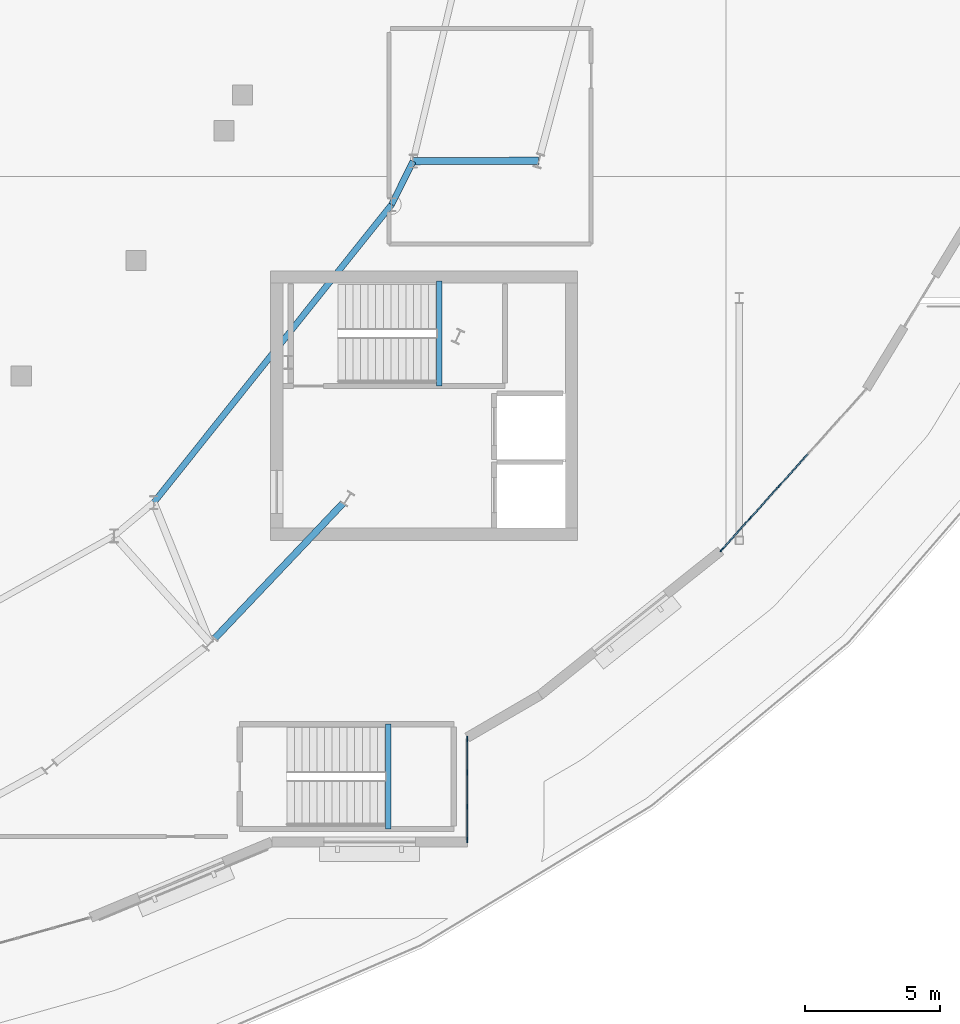
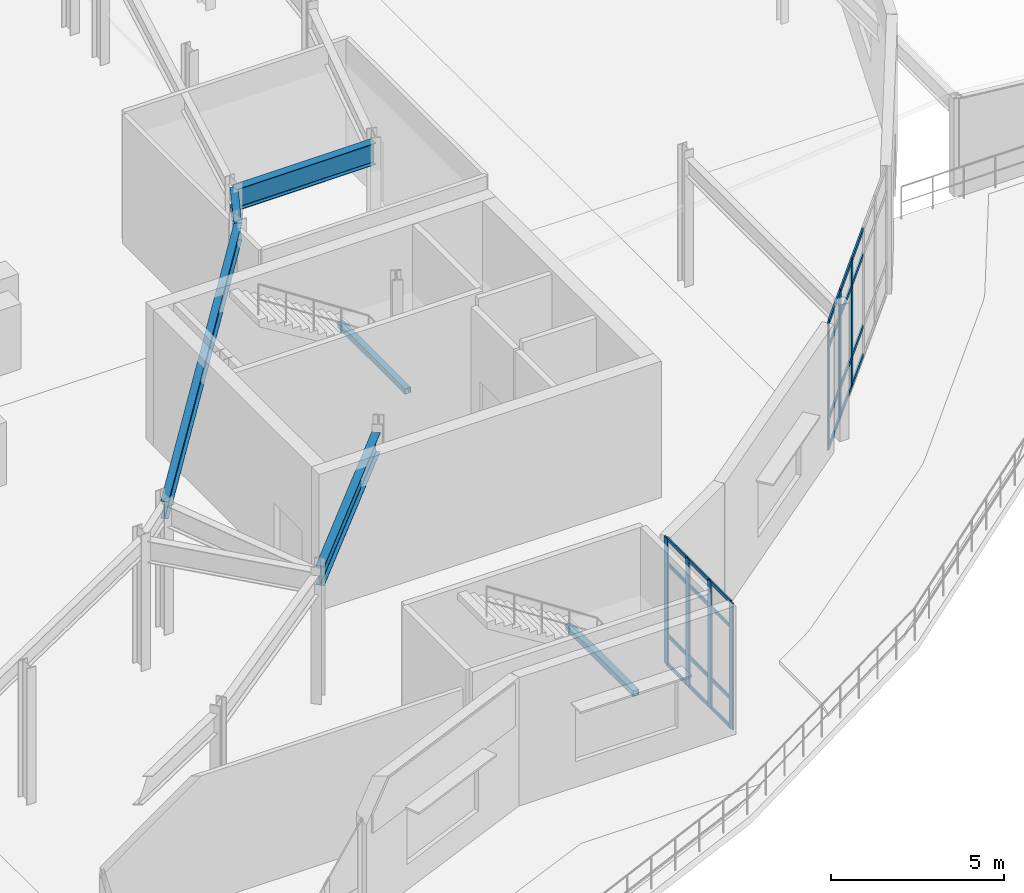
# One storey, part 46 of 84: 31 members, 6 beams, 2 elements without a shape of their own.
"""IFC4 building model written with IfcOpenShell, lengths in metres."""

import ifcopenshell
import ifcopenshell.guid

model = None  # the IFC model being written
_history = None  # IfcOwnerHistory: only IFC2X3 demands one
_inside = {}  # id of a spatial element -> (the spatial element, [elements in it])
_under = {}  # id of a project, library or spatial element -> (it, [spatial elements below it])
_declared = {}  # id of a project -> (the project, [libraries it declares])
_typed = {}  # id of a type object -> (the type object, [elements of that type])
_made_of = {}  # id of a material, layer set ... -> (it, [elements and type objects made of it])


def new_model(schema):
    """Start an empty IFC model of exactly this schema.

    Asked for "IFC4X3", IfcOpenShell would pick the latest addendum, in which some entities
    have other attributes; the version numbers below select the first issue.
    IFC2X3 requires an IfcOwnerHistory on every rooted entity: one is made here for all.
    """
    global model, _history
    if schema == "IFC4X3":
        model = ifcopenshell.file(schema_version=(4, 3, 0, 0))
    else:
        model = ifcopenshell.file(schema=schema)
    _inside.clear()
    _under.clear()
    _declared.clear()
    _typed.clear()
    _made_of.clear()
    _history = None
    if model.schema == "IFC2X3":
        org = make("IfcOrganization", Name="unknown")
        user = make(
            "IfcPersonAndOrganization",
            ThePerson=make("IfcPerson", FamilyName="unknown"),
            TheOrganization=org,
        )
        app = make(
            "IfcApplication",
            ApplicationDeveloper=org,
            Version="unknown",
            ApplicationFullName="unknown",
            ApplicationIdentifier="unknown",
        )
        _history = make(
            "IfcOwnerHistory",
            OwningUser=user,
            OwningApplication=app,
            ChangeAction="ADDED",
            CreationDate=0,
        )
    return model


def make(cls, **values):
    """One entity of the class cls with the attributes given. An attribute that is None is left unset."""
    return model.create_entity(
        cls, **{name: value for name, value in values.items() if value is not None}
    )


def rooted(cls, **values):
    """An entity with a GlobalId (a new one), such as an element, a storey or a relation."""
    return make(cls, GlobalId=ifcopenshell.guid.new(), OwnerHistory=_history, **values)


def si_unit(unit_type, name, prefix=None):
    """IfcSIUnit, for example si_unit("LENGTHUNIT", "METRE", prefix="MILLI")."""
    return make("IfcSIUnit", UnitType=unit_type, Prefix=prefix, Name=name)


def assignment(units):
    """IfcUnitAssignment: the units of a project."""
    return None if units is None else make("IfcUnitAssignment", Units=units)


def point(xyz):
    """IfcCartesianPoint."""
    return None if xyz is None else make("IfcCartesianPoint", Coordinates=xyz)


def direction(xyz):
    """IfcDirection."""
    return None if xyz is None else make("IfcDirection", DirectionRatios=xyz)


def frame(location, z_axis=None, x_axis=None):
    """IfcAxis2Placement3D, a coordinate frame: its origin and axes. An axis left out is left unset."""
    return make(
        "IfcAxis2Placement3D",
        Location=point(location),
        Axis=direction(z_axis),
        RefDirection=direction(x_axis),
    )


def frame_2d(location, x_axis=None):
    """IfcAxis2Placement2D, a coordinate frame in the plane: its origin and x axis."""
    return make(
        "IfcAxis2Placement2D", Location=point(location), RefDirection=direction(x_axis)
    )


def origin():
    """The frame at (0, 0, 0) with its axes left unset."""
    return frame((0.0, 0.0, 0.0))


def origin_2d():
    """The frame at (0, 0) in the plane with its x axis left unset."""
    return frame_2d((0.0, 0.0))


def place(relative_to, where):
    """IfcLocalPlacement: puts the frame where relative to a parent placement (None: the world)."""
    return make(
        "IfcLocalPlacement", PlacementRelTo=relative_to, RelativePlacement=where
    )


def context(
    kind, dimensions, precision=None, world=None, true_north=None, identifier=None
):
    """IfcGeometricRepresentationContext, for example the 3D "Model" context."""
    return make(
        "IfcGeometricRepresentationContext",
        ContextIdentifier=identifier,
        ContextType=kind,
        CoordinateSpaceDimension=dimensions,
        Precision=precision,
        WorldCoordinateSystem=world,
        TrueNorth=true_north,
    )


def subcontext(parent, identifier, kind, view, scale=None):
    """IfcGeometricRepresentationSubContext, for example "Body" below "Model"."""
    return make(
        "IfcGeometricRepresentationSubContext",
        ContextIdentifier=identifier,
        ContextType=kind,
        ParentContext=parent,
        TargetScale=scale,
        TargetView=view,
    )


def project(units=None, contexts=None):
    """IfcProject with its units and contexts."""
    return rooted(
        "IfcProject",
        Name="project",
        RepresentationContexts=contexts,
        UnitsInContext=assignment(units),
    )


def spatial(cls, under=None, at=None, **own):
    """A site, building, storey or space (cls), placed at a placement, below another one or the project."""
    s = rooted(cls, ObjectPlacement=at, **own)
    if under is not None:
        _under.setdefault(under.id(), (under, []))[1].append(s)
    return s


def profile(cls, at=None, kind="AREA", **sizes):
    """A parametric profile (cls). Its sizes go by their IFC names, for example OverallWidth=200.0."""
    return make(cls, ProfileType=kind, Position=at, **sizes)


def rectangle(**sizes):
    """IfcRectangleProfileDef."""
    return profile("IfcRectangleProfileDef", **sizes)


def hollow_rectangle(**sizes):
    """IfcRectangleHollowProfileDef."""
    return profile("IfcRectangleHollowProfileDef", **sizes)


def i_section(**sizes):
    """IfcIShapeProfileDef."""
    return profile("IfcIShapeProfileDef", **sizes)


def extrude(swept, where, along, depth):
    """IfcExtrudedAreaSolid: the profile swept, set in the frame where, extruded along a direction by depth."""
    return make(
        "IfcExtrudedAreaSolid",
        SweptArea=swept,
        Position=where,
        ExtrudedDirection=direction(along),
        Depth=depth,
    )


def shape(context_of_items, identifier, shape_type, items):
    """IfcShapeRepresentation: the items that make up one representation, for example the "Body"."""
    return make(
        "IfcShapeRepresentation",
        ContextOfItems=context_of_items,
        RepresentationIdentifier=identifier,
        RepresentationType=shape_type,
        Items=items,
    )


def material(Name=None, Category=None):
    """IfcMaterial."""
    return make("IfcMaterial", Name=Name, Category=Category)


def material_profile(
    of_material, cross_section, Name=None, Category=None, Priority=None
):
    """IfcMaterialProfile: a cross section and its material."""
    return make(
        "IfcMaterialProfile",
        Name=Name,
        Material=of_material,
        Profile=cross_section,
        Priority=Priority,
        Category=Category,
    )


def profile_set(profiles, Name=None, composite=None):
    """IfcMaterialProfileSet."""
    return make(
        "IfcMaterialProfileSet",
        Name=Name,
        MaterialProfiles=profiles,
        CompositeProfile=composite,
    )


def made_of(thing, what):
    """Note that an element or type object is made of a material, layer set ...; save() writes the relation."""
    if what is not None:
        _made_of.setdefault(what.id(), (what, []))[1].append(thing)
    return thing


def type_object(cls, material=None, **own):
    """A type object (cls), such as IfcWallType, which elements share."""
    return made_of(rooted(cls, **own), material)


def element(
    cls,
    number,
    at=None,
    inside=None,
    cuts=None,
    type_object=None,
    material=None,
    context=None,
    identifier="Body",
    shape_type=None,
    held_by="IfcProductDefinitionShape",
    body=None,
    shapes=None,
    **own,
):
    """One element of the class cls, such as IfcWall. Its Tag is "e" and its number.

    at: its placement. inside: the storey or other place that contains it. cuts: it is an
    opening in that element (IfcRelVoidsElement). A single representation is given by context,
    identifier, shape_type and body (its items); several are given by shapes. held_by: the class
    of the entity that holds the representations. save() writes the other relations.
    """
    e = rooted(cls, Tag="e%d" % number, ObjectPlacement=at, **own)
    if body is not None:
        shapes = [shape(context, identifier, shape_type, body)]
    if shapes is not None:
        e.Representation = make(held_by, Representations=shapes)
    if inside is not None:
        _inside.setdefault(inside.id(), (inside, []))[1].append(e)
    if cuts is not None:
        rooted(
            "IfcRelVoidsElement", RelatingBuildingElement=cuts, RelatedOpeningElement=e
        )
    if type_object is not None:
        _typed.setdefault(type_object.id(), (type_object, []))[1].append(e)
    return made_of(e, material)


def aggregate(whole, parts):
    """IfcRelAggregates: a whole, such as a stair, and the parts it consists of."""
    return rooted("IfcRelAggregates", RelatingObject=whole, RelatedObjects=parts)


def save(model, path):
    """Write the relations noted so far, then the file.

    IfcRelAggregates (storeys below a building ...), IfcRelContainedInSpatialStructure (elements
    in a storey), IfcRelDefinesByType, IfcRelAssociatesMaterial and IfcRelDeclares: one each for
    every whole, place, type object, material and project.
    """
    for whole, parts in _under.values():
        aggregate(whole, parts)
    for where, things in _inside.values():
        rooted(
            "IfcRelContainedInSpatialStructure",
            RelatedElements=things,
            RelatingStructure=where,
        )
    for kind, things in _typed.values():
        rooted("IfcRelDefinesByType", RelatedObjects=things, RelatingType=kind)
    for what, things in _made_of.values():
        rooted("IfcRelAssociatesMaterial", RelatedObjects=things, RelatingMaterial=what)
    for by, libraries in _declared.values():
        rooted("IfcRelDeclares", RelatingContext=by, RelatedDefinitions=libraries)
    model.write(path)


model = new_model("IFC4")

# Units and contexts
model_context = context("Model", 3, precision=1e-05, world=origin(), true_north=direction((0.0, 1.0)))
body_context = subcontext(model_context, "Body", "Model", "MODEL_VIEW")
ifc_project = project(units=[si_unit("LENGTHUNIT", "METRE"), si_unit("AREAUNIT", "SQUARE_METRE"), si_unit("VOLUMEUNIT", "CUBIC_METRE"), si_unit("PLANEANGLEUNIT", "RADIAN"), si_unit("MASSUNIT", "GRAM", prefix="KILO")], contexts=[model_context])

# Site, building, storey
site_placement = place(None, origin())
site = spatial("IfcSite", under=ifc_project, at=site_placement, CompositionType="ELEMENT")
building_placement = place(site_placement, origin())
building = spatial("IfcBuilding", under=site, at=building_placement, Name="Glasvene Arena", CompositionType="ELEMENT")
storey_placement = place(building_placement, frame((0.0, 0.0, 10.199951171875)))
storey = spatial("IfcBuildingStorey", under=building, at=storey_placement, Name="L02", CompositionType="ELEMENT", Elevation=10.199951171875)

# Beams
ifc_material_1 = material(Name="Steel S355J2", Category="steel")
ifc_material_profile_1 = material_profile(ifc_material_1, i_section(OverallWidth=0.228271484375, OverallDepth=0.607666015625, WebThickness=0.010986328125, FlangeThickness=0.017333984375, FilletRadius=0.0126953125, at=origin_2d()), Name="UKB 610x229x113")
ifc_profile_set_1 = profile_set([ifc_material_profile_1], Name="Steel S355J2")
beam_type_1 = type_object("IfcBeamType", Name="BM-GIRD-610", PredefinedType="BEAM", material=ifc_profile_set_1)
beam_1_placement = place(storey_placement, frame((125.256591796875, 46.40087890625, 4.215087890625), z_axis=(0.623899670594, 0.781504447226, 0.0), x_axis=(-0.781504447226, 0.623899670594, 0.0)))
element("IfcBeam", 1, at=beam_1_placement, inside=storey, type_object=beam_type_1, Name="Concourse inner ring girder L02-29", PredefinedType="BEAM", context=body_context, shape_type="SweptSolid", body=[
    extrude(i_section(OverallWidth=0.228271484375, OverallDepth=0.607666015625, WebThickness=0.010986328125, FlangeThickness=0.017333984375, FilletRadius=0.0126953125, at=origin_2d()), origin(), (0.0, 0.0, 1.0), 14.1552734375),
])
beam_2_placement = place(storey_placement, frame((134.088134765625, 57.46337890625, 4.215087890625), z_axis=(0.443576698242, 0.896236415672, 0.0), x_axis=(-0.896236415672, 0.443576698242, 0.0)))
element("IfcBeam", 2, at=beam_2_placement, inside=storey, type_object=beam_type_1, Name="Concourse inner ring girder L02-30", PredefinedType="BEAM", context=body_context, shape_type="SweptSolid", body=[
    extrude(i_section(OverallWidth=0.228271484375, OverallDepth=0.607666015625, WebThickness=0.010986328125, FlangeThickness=0.017333984375, FilletRadius=0.0126953125, at=origin_2d()), origin(), (0.0, 0.0, 1.0), 1.80078125),
])
ifc_material_profile_2 = material_profile(ifc_material_1, i_section(OverallWidth=0.253662109375, OverallDepth=0.68359375, WebThickness=0.012451171875, FlangeThickness=0.01904296875, FilletRadius=0.01513671875, at=origin_2d()), Name="UKB 686x254x140")
ifc_profile_set_2 = profile_set([ifc_material_profile_2], Name="Steel S355J2")
beam_type_2 = type_object("IfcBeamType", Name="BM-GIRD-686", PredefinedType="BEAM", material=ifc_profile_set_2)
beam_3_placement = place(storey_placement, frame((127.5205078125, 41.354248046875, 4.178466796875), z_axis=(0.688366558931, 0.725362999157, 0.0), x_axis=(-0.725362999157, 0.688366558931, 0.0)))
element("IfcBeam", 3, at=beam_3_placement, inside=storey, type_object=beam_type_2, Name="Bowl ring chord beam L02-36", PredefinedType="BEAM", context=body_context, shape_type="SweptSolid", body=[
    extrude(i_section(OverallWidth=0.253662109375, OverallDepth=0.68359375, WebThickness=0.012451171875, FlangeThickness=0.01904296875, FilletRadius=0.01513671875, at=origin_2d()), origin(), (0.0, 0.0, 1.0), 6.92236328125),
])
ifc_material_profile_3 = material_profile(ifc_material_1, i_section(OverallWidth=0.2666015625, OverallDepth=0.76220703125, WebThickness=0.014404296875, FlangeThickness=0.021484375, FilletRadius=0.0166015625, at=origin_2d()), Name="UKB 762x267x173")
ifc_profile_set_3 = profile_set([ifc_material_profile_3], Name="Steel S355J2")
beam_type_3 = type_object("IfcBeamType", Name="BM-GIRD-762", PredefinedType="BEAM", material=ifc_profile_set_3)
beam_4_placement = place(storey_placement, frame((134.886962890625, 59.077392578125, 4.138916015625), z_axis=(0.999993482259, 0.003610462575, 0.0), x_axis=(-0.003610462575, 0.999993482259, 0.0)))
element("IfcBeam", 4, at=beam_4_placement, inside=storey, type_object=beam_type_3, Name="Radial concourse girder L02-31", PredefinedType="BEAM", context=body_context, shape_type="SweptSolid", body=[
    extrude(i_section(OverallWidth=0.2666015625, OverallDepth=0.76220703125, WebThickness=0.014404296875, FlangeThickness=0.021484375, FilletRadius=0.0166015625, at=origin_2d()), origin(), (0.0, 0.0, 1.0), 4.665771484375),
])
ifc_material_profile_4 = material_profile(ifc_material_1, hollow_rectangle(XDim=0.199951171875, YDim=0.199951171875, WallThickness=0.010009765625, at=origin_2d()), Name="SHS 200x200x10.0")
ifc_profile_set_4 = profile_set([ifc_material_profile_4], Name="Steel S355J2")
beam_type_4 = type_object("IfcBeamType", Name="BM-LINTEL-200", PredefinedType="LINTEL", material=ifc_profile_set_4)
beam_5_placement = place(storey_placement, frame((135.860107421875, 50.72998046875, 2.080078125), z_axis=(0.0, 1.0, 0.0), x_axis=(-1.0, 0.0, 0.0)))
element("IfcBeam", 5, at=beam_5_placement, inside=storey, type_object=beam_type_4, Name="Stair half-landing support beam ST-04-L02", PredefinedType="LINTEL", context=body_context, shape_type="SweptSolid", body=[
    extrude(hollow_rectangle(XDim=0.199951171875, YDim=0.199951171875, WallThickness=0.010009765625, at=origin_2d()), origin(), (0.0, 0.0, 1.0), 3.89013671875),
])
beam_6_placement = place(storey_placement, frame((133.9599609375, 34.280029296875, 2.080078125), z_axis=(0.0, 1.0, 0.0), x_axis=(-1.0, 0.0, 0.0)))
element("IfcBeam", 6, at=beam_6_placement, inside=storey, type_object=beam_type_4, Name="Stair half-landing support beam ST-06-L02", PredefinedType="LINTEL", context=body_context, shape_type="SweptSolid", body=[
    extrude(hollow_rectangle(XDim=0.199951171875, YDim=0.199951171875, WallThickness=0.010009765625, at=origin_2d()), origin(), (0.0, 0.0, 1.0), 3.889892578125),
])

# Curtain wall, members
ifc_material_2 = material(Name="Low-emissivity laminated double glazing", Category="glass")
curtain_wall_type_1 = type_object("IfcCurtainWallType", Name="CW-FAC-L02-800x446", PredefinedType="USERDEFINED", material=ifc_material_2)
curtain_wall_1_placement = place(storey_placement, frame((151.690673828125, 50.586181640625, 0.0)))
curtain_wall_1 = element("IfcCurtainWall", 7, at=curtain_wall_1_placement, inside=storey, type_object=curtain_wall_type_1, Name="Unitised curtain wall CW-F-L02-180-1490-476-40", ObjectType="CURTAIN WALL", PredefinedType="USERDEFINED")
ifc_material_3 = material(Name="Anodised architectural aluminium", Category="aluminium")
ifc_material_profile_5 = material_profile(ifc_material_3, rectangle(XDim=0.050048828125, YDim=0.199951171875, at=origin_2d()), Name="ALU MULLION 50x200")
ifc_profile_set_5 = profile_set([ifc_material_profile_5], Name="Anodised architectural aluminium")
member_type_1 = type_object("IfcMemberType", Name="CW-MUL-180", PredefinedType="MULLION", material=ifc_profile_set_5)
member_1_placement = place(storey_placement, frame((148.480712890625, 47.017333984375, 0.06005859375), z_axis=(0.0, 0.0, 1.0), x_axis=(0.743511651788, -0.668722979757, 0.0)))
member_1 = element("IfcMember", 8, at=member_1_placement, type_object=member_type_1, Name="CW-024 mullion 4", PredefinedType="MULLION", context=body_context, shape_type="SweptSolid", body=[
    extrude(rectangle(XDim=0.050048828125, YDim=0.199951171875, at=origin_2d()), origin(), (0.0, 0.0, 1.0), 4.4599609375),
])
member_2_placement = place(storey_placement, frame((147.410888671875, 45.82763671875, 0.06005859375), z_axis=(0.0, 0.0, 1.0), x_axis=(0.743511651788, -0.668722979757, 0.0)))
member_2 = element("IfcMember", 9, at=member_2_placement, type_object=member_type_1, Name="CW-024 mullion 5", PredefinedType="MULLION", context=body_context, shape_type="SweptSolid", body=[
    extrude(rectangle(XDim=0.050048828125, YDim=0.199951171875, at=origin_2d()), origin(), (0.0, 0.0, 1.0), 4.4599609375),
])
member_3_placement = place(storey_placement, frame((146.357666015625, 44.65673828125, 0.06005859375), z_axis=(0.0, 0.0, 1.0), x_axis=(0.743511651788, -0.668722979757, 0.0)))
member_3 = element("IfcMember", 10, at=member_3_placement, type_object=member_type_1, Name="CW-024 mullion 6", PredefinedType="MULLION", context=body_context, shape_type="SweptSolid", body=[
    extrude(rectangle(XDim=0.050048828125, YDim=0.199951171875, at=origin_2d()), origin(), (0.0, 0.0, 1.0), 4.4599609375),
])

curtain_wall_type_2 = type_object("IfcCurtainWallType", Name="CW-FAC-L02-380x446", PredefinedType="USERDEFINED", material=ifc_material_2)
curtain_wall_2_placement = place(storey_placement, frame((136.89990234375, 37.640625, 0.0)))
curtain_wall_2 = element("IfcCurtainWall", 11, at=curtain_wall_2_placement, inside=storey, type_object=curtain_wall_type_2, Name="Unitised curtain wall CW-F-L02-180-1369-357-43", ObjectType="CURTAIN WALL", PredefinedType="USERDEFINED")
member_4_placement = place(storey_placement, frame((136.89990234375, 37.61572265625, 0.06005859375), z_axis=(0.0, 0.0, 1.0), x_axis=(1.0, 0.0, 0.0)))
member_4 = element("IfcMember", 12, at=member_4_placement, type_object=member_type_1, Name="CW-025 mullion 1", PredefinedType="MULLION", context=body_context, shape_type="SweptSolid", body=[
    extrude(rectangle(XDim=0.050048828125, YDim=0.199951171875, at=origin_2d()), origin(), (0.0, 0.0, 1.0), 4.4599609375),
])
member_5_placement = place(storey_placement, frame((136.89990234375, 36.373779296875, 0.06005859375), z_axis=(0.0, 0.0, 1.0), x_axis=(1.0, 0.0, 0.0)))
member_5 = element("IfcMember", 13, at=member_5_placement, type_object=member_type_1, Name="CW-025 mullion 2", PredefinedType="MULLION", context=body_context, shape_type="SweptSolid", body=[
    extrude(rectangle(XDim=0.050048828125, YDim=0.199951171875, at=origin_2d()), origin(), (0.0, 0.0, 1.0), 4.4599609375),
])
member_6_placement = place(storey_placement, frame((136.89990234375, 35.10693359375, 0.06005859375), z_axis=(0.0, 0.0, 1.0), x_axis=(1.0, 0.0, 0.0)))
member_6 = element("IfcMember", 14, at=member_6_placement, type_object=member_type_1, Name="CW-025 mullion 3", PredefinedType="MULLION", context=body_context, shape_type="SweptSolid", body=[
    extrude(rectangle(XDim=0.050048828125, YDim=0.199951171875, at=origin_2d()), origin(), (0.0, 0.0, 1.0), 4.4599609375),
])
member_7_placement = place(storey_placement, frame((136.89990234375, 33.864990234375, 0.06005859375), z_axis=(0.0, 0.0, 1.0), x_axis=(1.0, 0.0, 0.0)))
member_7 = element("IfcMember", 15, at=member_7_placement, type_object=member_type_1, Name="CW-025 mullion 4", PredefinedType="MULLION", context=body_context, shape_type="SweptSolid", body=[
    extrude(rectangle(XDim=0.050048828125, YDim=0.199951171875, at=origin_2d()), origin(), (0.0, 0.0, 1.0), 4.4599609375),
])
ifc_material_profile_6 = material_profile(ifc_material_3, rectangle(XDim=0.050048828125, YDim=0.1201171875, at=origin_2d()), Name="ALU TRANSOM 50x120")
ifc_profile_set_6 = profile_set([ifc_material_profile_6], Name="Anodised architectural aluminium")
member_type_2 = type_object("IfcMemberType", Name="CW-TRN-120", PredefinedType="USERDEFINED", material=ifc_profile_set_6)
member_8_placement = place(storey_placement, frame((136.89990234375, 37.5908203125, 0.0849609375), z_axis=(0.0, -1.0, 0.0), x_axis=(1.0, 0.0, 0.0)))
member_8 = element("IfcMember", 16, at=member_8_placement, type_object=member_type_2, Name="CW-025 transom 1.1", ObjectType="TRANSOM", PredefinedType="USERDEFINED", context=body_context, shape_type="SweptSolid", body=[
    extrude(rectangle(XDim=0.050048828125, YDim=0.1201171875, at=origin_2d()), origin(), (0.0, 0.0, 1.0), 1.192138671875),
])
member_9_placement = place(storey_placement, frame((136.89990234375, 37.5908203125, 1.10009765625), z_axis=(0.0, -1.0, 0.0), x_axis=(1.0, 0.0, 0.0)))
member_9 = element("IfcMember", 17, at=member_9_placement, type_object=member_type_2, Name="CW-025 transom 1.2", ObjectType="TRANSOM", PredefinedType="USERDEFINED", context=body_context, shape_type="SweptSolid", body=[
    extrude(rectangle(XDim=0.050048828125, YDim=0.1201171875, at=origin_2d()), origin(), (0.0, 0.0, 1.0), 1.192138671875),
])
member_10_placement = place(storey_placement, frame((136.89990234375, 37.5908203125, 3.6201171875), z_axis=(0.0, -1.0, 0.0), x_axis=(1.0, 0.0, 0.0)))
member_10 = element("IfcMember", 18, at=member_10_placement, type_object=member_type_2, Name="CW-025 transom 1.3", ObjectType="TRANSOM", PredefinedType="USERDEFINED", context=body_context, shape_type="SweptSolid", body=[
    extrude(rectangle(XDim=0.050048828125, YDim=0.1201171875, at=origin_2d()), origin(), (0.0, 0.0, 1.0), 1.192138671875),
])
member_11_placement = place(storey_placement, frame((136.89990234375, 37.5908203125, 4.4951171875), z_axis=(0.0, -1.0, 0.0), x_axis=(1.0, 0.0, 0.0)))
member_11 = element("IfcMember", 19, at=member_11_placement, type_object=member_type_2, Name="CW-025 transom 1.4", ObjectType="TRANSOM", PredefinedType="USERDEFINED", context=body_context, shape_type="SweptSolid", body=[
    extrude(rectangle(XDim=0.050048828125, YDim=0.1201171875, at=origin_2d()), origin(), (0.0, 0.0, 1.0), 1.192138671875),
])
member_12_placement = place(storey_placement, frame((136.89990234375, 36.348876953125, 0.0849609375), z_axis=(0.0, -1.0, 0.0), x_axis=(1.0, 0.0, 0.0)))
member_12 = element("IfcMember", 20, at=member_12_placement, type_object=member_type_2, Name="CW-025 transom 2.1", ObjectType="TRANSOM", PredefinedType="USERDEFINED", context=body_context, shape_type="SweptSolid", body=[
    extrude(rectangle(XDim=0.050048828125, YDim=0.1201171875, at=origin_2d()), origin(), (0.0, 0.0, 1.0), 1.217041015625),
])
member_13_placement = place(storey_placement, frame((136.89990234375, 36.348876953125, 1.10009765625), z_axis=(0.0, -1.0, 0.0), x_axis=(1.0, 0.0, 0.0)))
member_13 = element("IfcMember", 21, at=member_13_placement, type_object=member_type_2, Name="CW-025 transom 2.2", ObjectType="TRANSOM", PredefinedType="USERDEFINED", context=body_context, shape_type="SweptSolid", body=[
    extrude(rectangle(XDim=0.050048828125, YDim=0.1201171875, at=origin_2d()), origin(), (0.0, 0.0, 1.0), 1.217041015625),
])
member_14_placement = place(storey_placement, frame((136.89990234375, 36.348876953125, 3.6201171875), z_axis=(0.0, -1.0, 0.0), x_axis=(1.0, 0.0, 0.0)))
member_14 = element("IfcMember", 22, at=member_14_placement, type_object=member_type_2, Name="CW-025 transom 2.3", ObjectType="TRANSOM", PredefinedType="USERDEFINED", context=body_context, shape_type="SweptSolid", body=[
    extrude(rectangle(XDim=0.050048828125, YDim=0.1201171875, at=origin_2d()), origin(), (0.0, 0.0, 1.0), 1.217041015625),
])
member_15_placement = place(storey_placement, frame((136.89990234375, 36.348876953125, 4.4951171875), z_axis=(0.0, -1.0, 0.0), x_axis=(1.0, 0.0, 0.0)))
member_15 = element("IfcMember", 23, at=member_15_placement, type_object=member_type_2, Name="CW-025 transom 2.4", ObjectType="TRANSOM", PredefinedType="USERDEFINED", context=body_context, shape_type="SweptSolid", body=[
    extrude(rectangle(XDim=0.050048828125, YDim=0.1201171875, at=origin_2d()), origin(), (0.0, 0.0, 1.0), 1.217041015625),
])
member_16_placement = place(storey_placement, frame((136.89990234375, 35.081787109375, 0.0849609375), z_axis=(0.0, -1.0, 0.0), x_axis=(1.0, 0.0, 0.0)))
member_16 = element("IfcMember", 24, at=member_16_placement, type_object=member_type_2, Name="CW-025 transom 3.1", ObjectType="TRANSOM", PredefinedType="USERDEFINED", context=body_context, shape_type="SweptSolid", body=[
    extrude(rectangle(XDim=0.050048828125, YDim=0.1201171875, at=origin_2d()), origin(), (0.0, 0.0, 1.0), 1.19189453125),
])
member_17_placement = place(storey_placement, frame((136.89990234375, 35.081787109375, 1.10009765625), z_axis=(0.0, -1.0, 0.0), x_axis=(1.0, 0.0, 0.0)))
member_17 = element("IfcMember", 25, at=member_17_placement, type_object=member_type_2, Name="CW-025 transom 3.2", ObjectType="TRANSOM", PredefinedType="USERDEFINED", context=body_context, shape_type="SweptSolid", body=[
    extrude(rectangle(XDim=0.050048828125, YDim=0.1201171875, at=origin_2d()), origin(), (0.0, 0.0, 1.0), 1.19189453125),
])
member_18_placement = place(storey_placement, frame((136.89990234375, 35.081787109375, 3.6201171875), z_axis=(0.0, -1.0, 0.0), x_axis=(1.0, 0.0, 0.0)))
member_18 = element("IfcMember", 26, at=member_18_placement, type_object=member_type_2, Name="CW-025 transom 3.3", ObjectType="TRANSOM", PredefinedType="USERDEFINED", context=body_context, shape_type="SweptSolid", body=[
    extrude(rectangle(XDim=0.050048828125, YDim=0.1201171875, at=origin_2d()), origin(), (0.0, 0.0, 1.0), 1.19189453125),
])
member_19_placement = place(storey_placement, frame((136.89990234375, 35.081787109375, 4.4951171875), z_axis=(0.0, -1.0, 0.0), x_axis=(1.0, 0.0, 0.0)))
member_19 = element("IfcMember", 27, at=member_19_placement, type_object=member_type_2, Name="CW-025 transom 3.4", ObjectType="TRANSOM", PredefinedType="USERDEFINED", context=body_context, shape_type="SweptSolid", body=[
    extrude(rectangle(XDim=0.050048828125, YDim=0.1201171875, at=origin_2d()), origin(), (0.0, 0.0, 1.0), 1.19189453125),
])
aggregate(curtain_wall_2, [member_4, member_5, member_6, member_7, member_8, member_9, member_10, member_11, member_12, member_13, member_14, member_15, member_16, member_17, member_18, member_19])

# Member
ifc_material_profile_7 = material_profile(ifc_material_3, rectangle(XDim=0.050048828125, YDim=0.14990234375, at=origin_2d()), Name="ALU TRANSOM 50x150")
ifc_profile_set_7 = profile_set([ifc_material_profile_7], Name="Anodised architectural aluminium")
member_type_3 = type_object("IfcMemberType", Name="CW-TRN-150", PredefinedType="USERDEFINED", material=ifc_profile_set_7)
member_20_placement = place(storey_placement, frame((149.533935546875, 48.188232421875, 0.0849609375), z_axis=(-0.668703595298, -0.743529085938, 0.0), x_axis=(0.743529085938, -0.668703595298, 0.0)))
member_20 = element("IfcMember", 28, at=member_20_placement, type_object=member_type_3, Name="CW-024 transom 3.1", ObjectType="TRANSOM", PredefinedType="USERDEFINED", context=body_context, shape_type="SweptSolid", body=[
    extrude(rectangle(XDim=0.050048828125, YDim=0.14990234375, at=origin_2d()), origin(), (0.0, 0.0, 1.0), 1.5498046875),
])

member_21_placement = place(storey_placement, frame((149.533935546875, 48.188232421875, 1.10009765625), z_axis=(-0.668703595298, -0.743529085938, 0.0), x_axis=(0.743529085938, -0.668703595298, 0.0)))
member_21 = element("IfcMember", 29, at=member_21_placement, type_object=member_type_3, Name="CW-024 transom 3.2", ObjectType="TRANSOM", PredefinedType="USERDEFINED", context=body_context, shape_type="SweptSolid", body=[
    extrude(rectangle(XDim=0.050048828125, YDim=0.14990234375, at=origin_2d()), origin(), (0.0, 0.0, 1.0), 1.5498046875),
])

member_22_placement = place(storey_placement, frame((149.533935546875, 48.188232421875, 3.6201171875), z_axis=(-0.668703595298, -0.743529085938, 0.0), x_axis=(0.743529085938, -0.668703595298, 0.0)))
member_22 = element("IfcMember", 30, at=member_22_placement, type_object=member_type_3, Name="CW-024 transom 3.3", ObjectType="TRANSOM", PredefinedType="USERDEFINED", context=body_context, shape_type="SweptSolid", body=[
    extrude(rectangle(XDim=0.050048828125, YDim=0.14990234375, at=origin_2d()), origin(), (0.0, 0.0, 1.0), 1.5498046875),
])

member_23_placement = place(storey_placement, frame((149.533935546875, 48.188232421875, 4.4951171875), z_axis=(-0.668703595298, -0.743529085938, 0.0), x_axis=(0.743529085938, -0.668703595298, 0.0)))
member_23 = element("IfcMember", 31, at=member_23_placement, type_object=member_type_3, Name="CW-024 transom 3.4", ObjectType="TRANSOM", PredefinedType="USERDEFINED", context=body_context, shape_type="SweptSolid", body=[
    extrude(rectangle(XDim=0.050048828125, YDim=0.14990234375, at=origin_2d()), origin(), (0.0, 0.0, 1.0), 1.5498046875),
])

member_24_placement = place(storey_placement, frame((148.464111328125, 46.998779296875, 0.0849609375), z_axis=(-0.668712357325, -0.743521205589, 0.0), x_axis=(0.743521205589, -0.668712357325, 0.0)))
member_24 = element("IfcMember", 32, at=member_24_placement, type_object=member_type_3, Name="CW-024 transom 4.1", ObjectType="TRANSOM", PredefinedType="USERDEFINED", context=body_context, shape_type="SweptSolid", body=[
    extrude(rectangle(XDim=0.050048828125, YDim=0.14990234375, at=origin_2d()), origin(), (0.0, 0.0, 1.0), 1.55029296875),
])

member_25_placement = place(storey_placement, frame((148.464111328125, 46.998779296875, 1.10009765625), z_axis=(-0.668712357325, -0.743521205589, 0.0), x_axis=(0.743521205589, -0.668712357325, 0.0)))
member_25 = element("IfcMember", 33, at=member_25_placement, type_object=member_type_3, Name="CW-024 transom 4.2", ObjectType="TRANSOM", PredefinedType="USERDEFINED", context=body_context, shape_type="SweptSolid", body=[
    extrude(rectangle(XDim=0.050048828125, YDim=0.14990234375, at=origin_2d()), origin(), (0.0, 0.0, 1.0), 1.55029296875),
])

member_26_placement = place(storey_placement, frame((148.464111328125, 46.998779296875, 3.6201171875), z_axis=(-0.668712357325, -0.743521205589, 0.0), x_axis=(0.743521205589, -0.668712357325, 0.0)))
member_26 = element("IfcMember", 34, at=member_26_placement, type_object=member_type_3, Name="CW-024 transom 4.3", ObjectType="TRANSOM", PredefinedType="USERDEFINED", context=body_context, shape_type="SweptSolid", body=[
    extrude(rectangle(XDim=0.050048828125, YDim=0.14990234375, at=origin_2d()), origin(), (0.0, 0.0, 1.0), 1.55029296875),
])

member_27_placement = place(storey_placement, frame((148.464111328125, 46.998779296875, 4.4951171875), z_axis=(-0.668712357325, -0.743521205589, 0.0), x_axis=(0.743521205589, -0.668712357325, 0.0)))
member_27 = element("IfcMember", 35, at=member_27_placement, type_object=member_type_3, Name="CW-024 transom 4.4", ObjectType="TRANSOM", PredefinedType="USERDEFINED", context=body_context, shape_type="SweptSolid", body=[
    extrude(rectangle(XDim=0.050048828125, YDim=0.14990234375, at=origin_2d()), origin(), (0.0, 0.0, 1.0), 1.55029296875),
])

member_28_placement = place(storey_placement, frame((147.39404296875, 45.80908203125, 0.0849609375), z_axis=(-0.668734722726, -0.743501089858, 0.0), x_axis=(0.743501089858, -0.668734722726, 0.0)))
member_28 = element("IfcMember", 36, at=member_28_placement, type_object=member_type_3, Name="CW-024 transom 5.1", ObjectType="TRANSOM", PredefinedType="USERDEFINED", context=body_context, shape_type="SweptSolid", body=[
    extrude(rectangle(XDim=0.050048828125, YDim=0.14990234375, at=origin_2d()), origin(), (0.0, 0.0, 1.0), 1.52490234375),
])

member_29_placement = place(storey_placement, frame((147.39404296875, 45.80908203125, 1.10009765625), z_axis=(-0.668734722726, -0.743501089858, 0.0), x_axis=(0.743501089858, -0.668734722726, 0.0)))
member_29 = element("IfcMember", 37, at=member_29_placement, type_object=member_type_3, Name="CW-024 transom 5.2", ObjectType="TRANSOM", PredefinedType="USERDEFINED", context=body_context, shape_type="SweptSolid", body=[
    extrude(rectangle(XDim=0.050048828125, YDim=0.14990234375, at=origin_2d()), origin(), (0.0, 0.0, 1.0), 1.52490234375),
])

member_30_placement = place(storey_placement, frame((147.39404296875, 45.80908203125, 3.6201171875), z_axis=(-0.668734722726, -0.743501089858, 0.0), x_axis=(0.743501089858, -0.668734722726, 0.0)))
member_30 = element("IfcMember", 38, at=member_30_placement, type_object=member_type_3, Name="CW-024 transom 5.3", ObjectType="TRANSOM", PredefinedType="USERDEFINED", context=body_context, shape_type="SweptSolid", body=[
    extrude(rectangle(XDim=0.050048828125, YDim=0.14990234375, at=origin_2d()), origin(), (0.0, 0.0, 1.0), 1.52490234375),
])

member_31_placement = place(storey_placement, frame((147.39404296875, 45.80908203125, 4.4951171875), z_axis=(-0.668734722726, -0.743501089858, 0.0), x_axis=(0.743501089858, -0.668734722726, 0.0)))
member_31 = element("IfcMember", 39, at=member_31_placement, type_object=member_type_3, Name="CW-024 transom 5.4", ObjectType="TRANSOM", PredefinedType="USERDEFINED", context=body_context, shape_type="SweptSolid", body=[
    extrude(rectangle(XDim=0.050048828125, YDim=0.14990234375, at=origin_2d()), origin(), (0.0, 0.0, 1.0), 1.52490234375),
])

aggregate(curtain_wall_1, [member_1, member_2, member_3, member_20, member_21, member_22, member_23, member_24, member_25, member_26, member_27, member_28, member_29, member_30, member_31])

save(model, "model.ifc")
